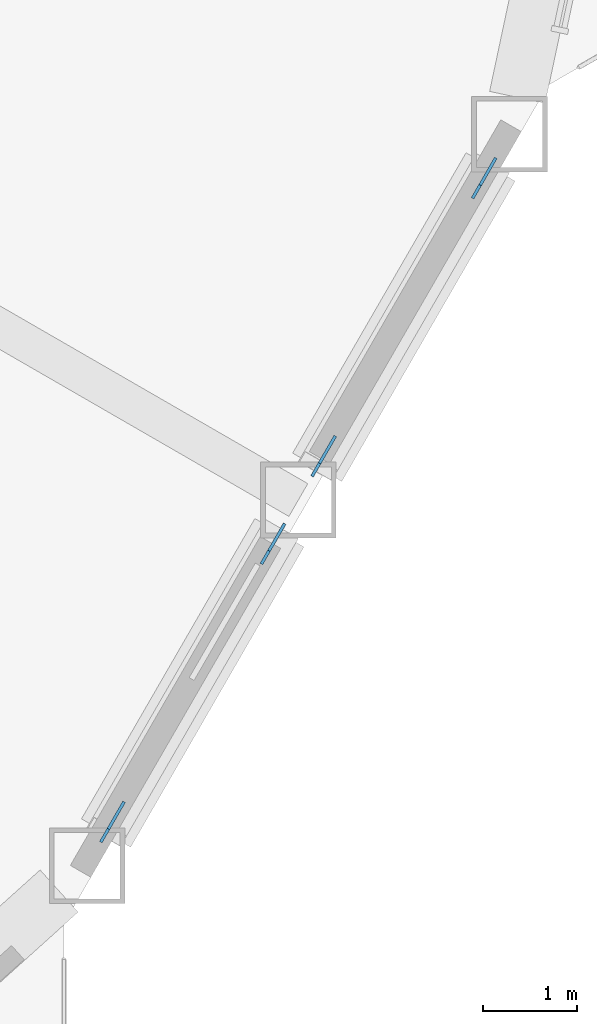
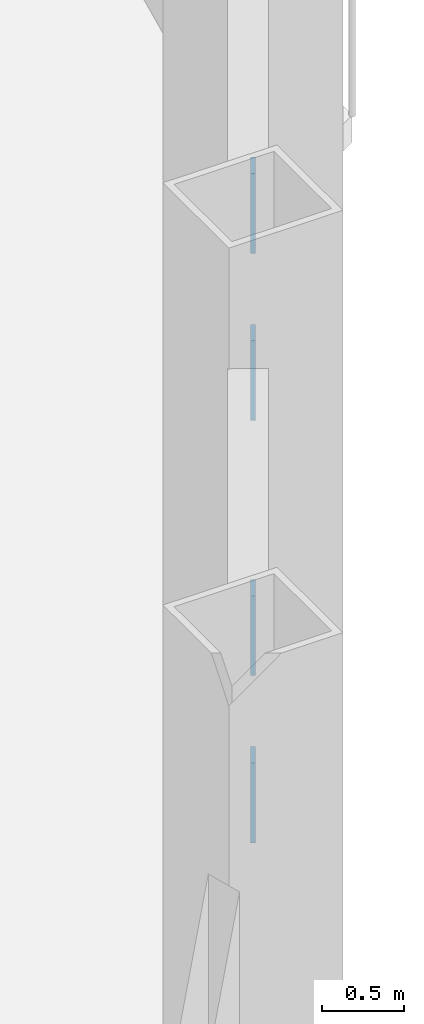
# One storey, part 17 of 23: 4 discrete accessories.
"""IFC4 building model written with IfcOpenShell, lengths in metres."""

from ifc_helpers import new_model, si_unit, direction, frame, origin, origin_2d, place, context, subcontext, project, spatial, rectangle, extrude, material, material_profile, profile_set, type_object, element, save


model = new_model("IFC4")

# Units and contexts
model_context = context("Model", 3, precision=1e-05, world=origin(), true_north=direction((0.0, 1.0)))
body_context = subcontext(model_context, "Body", "Model", "MODEL_VIEW")
ifc_project = project(units=[si_unit("LENGTHUNIT", "METRE"), si_unit("AREAUNIT", "SQUARE_METRE"), si_unit("VOLUMEUNIT", "CUBIC_METRE"), si_unit("PLANEANGLEUNIT", "RADIAN"), si_unit("MASSUNIT", "GRAM", prefix="KILO")], contexts=[model_context])

# Site, building, storey
site_placement = place(None, origin())
site = spatial("IfcSite", under=ifc_project, at=site_placement, CompositionType="ELEMENT")
building_placement = place(site_placement, origin())
building = spatial("IfcBuilding", under=site, at=building_placement, Name="Cormorant Prow Tower", CompositionType="ELEMENT")
storey_placement = place(building_placement, frame((0.0, 0.0, 169.199951171875)))
storey = spatial("IfcBuildingStorey", under=building, at=storey_placement, Name="L35", CompositionType="ELEMENT", Elevation=169.199951171875)

# Discrete accessories
ifc_material = material(Name="Structural steel ASTM A500 Gr C", Category="steel")
ifc_material_profile = material_profile(ifc_material, rectangle(XDim=0.031982421875, YDim=0.506103515625, at=origin_2d()), Name="Gusset plate 32x506")
ifc_profile_set = profile_set([ifc_material_profile], Name="Structural steel ASTM A500 Gr C")
discrete_accessory_type = type_object("IfcDiscreteAccessoryType", Name="Gusset plate 32x506", PredefinedType="BRACKET", material=ifc_profile_set)
discrete_accessory_1_placement = place(storey_placement, frame((27.7080078125, -16.807373046875, 0.835693359375), z_axis=(0.474172452765, 0.820736730742, -0.318671780755), x_axis=(-0.86587923604, 0.500253084543, 0.0)))
element("IfcDiscreteAccessory", 1, at=discrete_accessory_1_placement, inside=storey, type_object=discrete_accessory_type, Name="Gusset plate GP2 L35.ESE00.g0", PredefinedType="BRACKET", context=body_context, shape_type="SweptSolid", body=[
    extrude(rectangle(XDim=0.031982421875, YDim=0.506103515625, at=origin_2d()), origin(), (0.0, 0.0, 1.0), 0.35009765625),
])
discrete_accessory_2_placement = place(storey_placement, frame((26.17431640625, -19.463623046875, 1.865478515625), z_axis=(-0.47373689254, -0.821190460264, 0.318150254784), x_axis=(0.866197837791, -0.499701216534, 0.0)))
element("IfcDiscreteAccessory", 2, at=discrete_accessory_2_placement, inside=storey, type_object=discrete_accessory_type, Name="Gusset plate GP2 L35.ESE00.g1", PredefinedType="BRACKET", context=body_context, shape_type="SweptSolid", body=[
    extrude(rectangle(XDim=0.031982421875, YDim=0.506103515625, at=origin_2d()), origin(), (0.0, 0.0, 1.0), 0.349853515625),
])
for number, where, z_axis, x_axis, name in (
    (3, (29.943359375, -12.935791015625, 0.835693359375), (0.473631655621, 0.821008039272, -0.31877712315), (-0.866197837791, 0.499701216534, 0.0), "Gusset plate GP2 L35.ESE01.g0"),
    (4, (28.40966796875, -15.59228515625, 1.865478515625), (-0.4742777402, -0.820918970906, 0.31804507284), (0.86587923604, -0.500253084543, 0.0), "Gusset plate GP2 L35.ESE01.g1"),
):
    element("IfcDiscreteAccessory", number, at=place(storey_placement, frame(where, z_axis=z_axis, x_axis=x_axis)), inside=storey, type_object=discrete_accessory_type, Name=name, PredefinedType="BRACKET", context=body_context, shape_type="SweptSolid", body=[
        extrude(rectangle(XDim=0.031982421875, YDim=0.506103515625, at=origin_2d()), origin(), (0.0, 0.0, 1.0), 0.35009765625),
    ])

save(model, "model.ifc")
